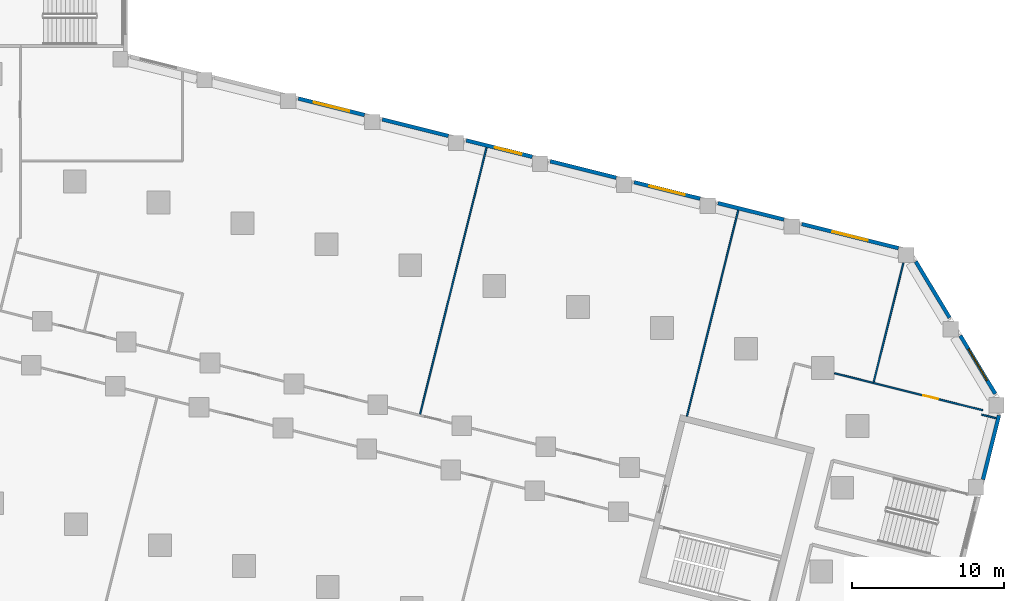
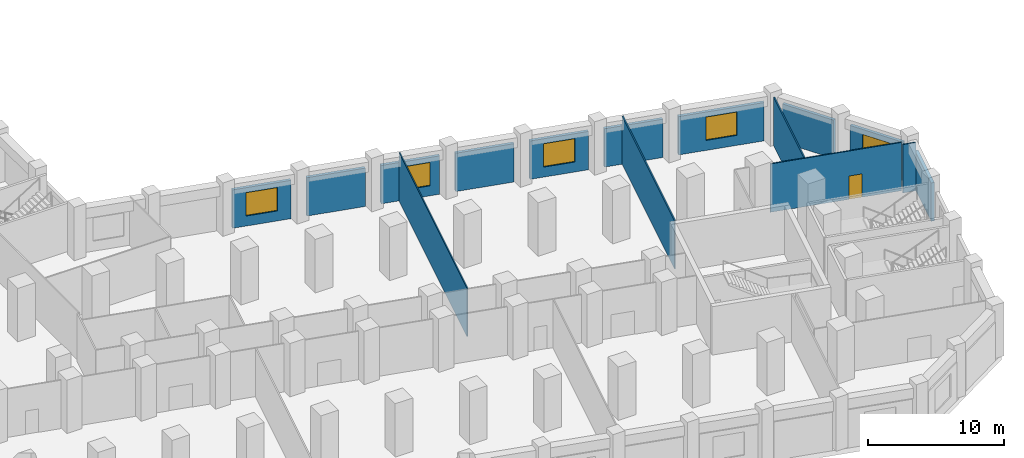
# One storey, part 7 of 15: 15 walls, 5 windows, 1 door, 6 openings.
"""IFC4 building model written with IfcOpenShell, lengths in metres."""

from ifc_helpers import new_model, si_unit, direction, frame, frame_2d, origin, place, context, subcontext, project, spatial, rectangle, extrude, material, layer, layer_set, type_object, element, fill, save


model = new_model("IFC4")

# Units and contexts
model_context = context("Model", 3, precision=1e-05, world=origin(), true_north=direction((0.0, 1.0)))
body_context = subcontext(model_context, "Body", "Model", "MODEL_VIEW")
ifc_project = project(units=[si_unit("LENGTHUNIT", "METRE"), si_unit("AREAUNIT", "SQUARE_METRE"), si_unit("VOLUMEUNIT", "CUBIC_METRE"), si_unit("PLANEANGLEUNIT", "RADIAN"), si_unit("MASSUNIT", "GRAM", prefix="KILO")], contexts=[model_context])

# Site, building, storey
site_placement = place(None, origin())
site = spatial("IfcSite", under=ifc_project, at=site_placement, CompositionType="ELEMENT")
building_placement = place(site_placement, origin())
building = spatial("IfcBuilding", under=site, at=building_placement, Name="Meshkara Civic Tower", CompositionType="ELEMENT")
storey_placement = place(building_placement, frame((0.0, 0.0, 23.39990234375)))
storey = spatial("IfcBuildingStorey", under=building, at=storey_placement, Name="L04", CompositionType="ELEMENT", Elevation=23.39990234375)

# Wall, opening, door
ifc_material_1 = material(Name="Corridor wall 100")
ifc_layer_1 = layer(ifc_material_1, 0.10009765625)
ifc_layer_set_1 = layer_set([ifc_layer_1], Name="Corridor wall 100")
wall_type_1 = type_object("IfcWallType", Name="Corridor wall 100", PredefinedType="PARTITIONING", material=ifc_layer_set_1)
wall_1_placement = place(storey_placement, frame((88.9560546875, 0.699951171875, 0.0), z_axis=(0.0, 0.0, 1.0), x_axis=(0.970310450884, -0.241862830763, 0.0)))
wall_1 = element("IfcWall", 1, at=wall_1_placement, inside=storey, type_object=wall_type_1, Name="L04-R081", PredefinedType="PARTITIONING", context=body_context, shape_type="SweptSolid", body=[
    extrude(rectangle(XDim=10.075927734375, YDim=0.10009765625, at=frame_2d((5.0380859375, 0.0))), origin(), (0.0, 0.0, 1.0), 4.35009765625),
])
opening_1_placement = place(wall_1_placement, frame((6.034912109375, 0.0, 0.0)))
opening_1 = element("IfcOpeningElement", 2, at=opening_1_placement, cuts=wall_1, Name="Opening L04-P012", PredefinedType="OPENING", context=body_context, shape_type="SweptSolid", body=[
    extrude(rectangle(XDim=1.0, YDim=2.10009765625, at=frame_2d((0.5, 1.050048828125))), frame((0.0, 0.06005859375, 0.0), z_axis=(0.0, -1.0, 0.0), x_axis=(1.0, 0.0, 0.0)), (0.0, 0.0, 1.0), 0.1201171875),
])
ifc_material_2 = material(Name="Door 1000 x 2100")
door_type = type_object("IfcDoorType", Name="Door 1000 x 2100", OperationType="SINGLE_SWING_LEFT", PredefinedType="DOOR", material=ifc_material_2)
door_placement = place(opening_1_placement, origin())
door = element("IfcDoor", 3, at=door_placement, inside=storey, type_object=door_type, Name="L04-P012", OperationType="SINGLE_SWING_LEFT", OverallHeight=2.10009765625, OverallWidth=1.0, PredefinedType="DOOR", context=body_context, shape_type="SweptSolid", body=[
    extrude(rectangle(XDim=1.0, YDim=2.10009765625, at=frame_2d((0.5, 1.050048828125))), frame((0.0, 0.02490234375, 0.0), z_axis=(0.0, -1.0, 0.0), x_axis=(1.0, 0.0, 0.0)), (0.0, 0.0, 1.0), 0.050048828125),
])
fill(opening_1, door)

# Walls
wall_2_placement = place(storey_placement, frame((99.63037109375, -2.27001953125, 0.0), z_axis=(0.0, 0.0, 1.0), x_axis=(-0.970300241929, 0.241903783585, 0.0)))
element("IfcWall", 4, at=wall_2_placement, inside=storey, type_object=wall_type_1, Name="L04-R084", PredefinedType="PARTITIONING", context=body_context, shape_type="SweptSolid", body=[
    extrude(rectangle(XDim=1.000244140625, YDim=0.10009765625, at=frame_2d((0.5, 0.0))), origin(), (0.0, 0.0, 1.0), 4.35009765625),
])
ifc_material_3 = material(Name="Stone cladding on insulated backing wall", Category="masonry")
ifc_layer_2 = layer(ifc_material_3, 0.25)
ifc_layer_set_2 = layer_set([ifc_layer_2], Name="PODIUM STONE WALL 250")
wall_type_2 = type_object("IfcWallType", Name="PODIUM STONE WALL 250", PredefinedType="SOLIDWALL", material=ifc_layer_set_2)
wall_3_placement = place(storey_placement, frame((98.7529296875, -6.306884765625, 0.0), z_axis=(0.0, 0.0, 1.0), x_axis=(0.241823818975, 0.97032017426, 0.0)))
element("IfcWall", 5, at=wall_3_placement, inside=storey, type_object=wall_type_2, Name="Podium external wall", PredefinedType="SOLIDWALL", context=body_context, shape_type="SweptSolid", body=[
    extrude(rectangle(XDim=4.3583984375, YDim=0.25, at=frame_2d((2.17919921875, 0.0))), origin(), (0.0, 0.0, 1.0), 3.4501953125),
])

# Wall, opening, window
wall_4_placement = place(storey_placement, frame((99.56298828125, -0.655029296875, 0.0), z_axis=(0.0, 0.0, 1.0), x_axis=(-0.515145569797, 0.857102702083, 0.0)))
wall_4 = element("IfcWall", 6, at=wall_4_placement, inside=storey, type_object=wall_type_2, Name="Podium external wall", PredefinedType="SOLIDWALL", context=body_context, shape_type="SweptSolid", body=[
    extrude(rectangle(XDim=4.474365234375, YDim=0.25, at=frame_2d((2.2373046875, 0.0))), origin(), (0.0, 0.0, 1.0), 3.4501953125),
])
opening_2_placement = place(wall_4_placement, frame((1.037109375, 0.0, 0.89990234375)))
opening_2 = element("IfcOpeningElement", 7, at=opening_2_placement, cuts=wall_4, Name="Opening PW10", PredefinedType="OPENING", context=body_context, shape_type="SweptSolid", body=[
    extrude(rectangle(XDim=2.39990234375, YDim=2.10009765625, at=frame_2d((1.199951171875, 1.050048828125))), frame((0.0, 0.135009765625, 0.0), z_axis=(0.0, -1.0, 0.0), x_axis=(1.0, 0.0, 0.0)), (0.0, 0.0, 1.0), 0.27001953125),
])
ifc_material_4 = material(Name="Tinted double glazing", Category="glass")
window_type_1 = type_object("IfcWindowType", Name="PODIUM WINDOW 2400x2100", PartitioningType="DOUBLE_PANEL_VERTICAL", PredefinedType="WINDOW", material=ifc_material_4)
window_1_placement = place(opening_2_placement, origin())
window_1 = element("IfcWindow", 8, at=window_1_placement, inside=storey, type_object=window_type_1, Name="Podium window", OverallHeight=2.10009765625, OverallWidth=2.39990234375, PartitioningType="DOUBLE_PANEL_VERTICAL", PredefinedType="WINDOW", context=body_context, shape_type="SweptSolid", body=[
    extrude(rectangle(XDim=2.39990234375, YDim=2.10009765625, at=frame_2d((1.199951171875, 1.050048828125))), frame((0.0, 0.030029296875, 0.0), z_axis=(0.0, -1.0, 0.0), x_axis=(1.0, 0.0, 0.0)), (0.0, 0.0, 1.0), 0.06005859375),
])
fill(opening_2, window_1)

# Wall
wall_5_placement = place(storey_placement, frame((96.552001953125, 4.35595703125, 0.0), z_axis=(0.0, 0.0, 1.0), x_axis=(-0.51527536796, 0.857024675942, 0.0)))
element("IfcWall", 9, at=wall_5_placement, inside=storey, type_object=wall_type_2, Name="Podium external wall", PredefinedType="SOLIDWALL", context=body_context, shape_type="SweptSolid", body=[
    extrude(rectangle(XDim=4.32763671875, YDim=0.25, at=frame_2d((2.163818359375, 0.0))), origin(), (0.0, 0.0, 1.0), 3.4501953125),
])

# Wall, opening, window
wall_6_placement = place(storey_placement, frame((93.180908203125, 8.947021484375, 0.0), z_axis=(0.0, 0.0, 1.0), x_axis=(-0.970262712144, 0.242054269584, 0.0)))
wall_6 = element("IfcWall", 10, at=wall_6_placement, inside=storey, type_object=wall_type_2, Name="Podium external wall", PredefinedType="SOLIDWALL", context=body_context, shape_type="SweptSolid", body=[
    extrude(rectangle(XDim=6.564208984375, YDim=0.25, at=frame_2d((3.2822265625, 0.0))), origin(), (0.0, 0.0, 1.0), 3.4501953125),
])
opening_3_placement = place(wall_6_placement, frame((2.08203125, 0.0, 0.89990234375)))
opening_3 = element("IfcOpeningElement", 11, at=opening_3_placement, cuts=wall_6, Name="Opening PW10", PredefinedType="OPENING", context=body_context, shape_type="SweptSolid", body=[
    extrude(rectangle(XDim=2.39990234375, YDim=2.10009765625, at=frame_2d((1.199951171875, 1.050048828125))), frame((0.0, 0.135009765625, 0.0), z_axis=(0.0, -1.0, 0.0), x_axis=(1.0, 0.0, 0.0)), (0.0, 0.0, 1.0), 0.27001953125),
])
window_2_placement = place(opening_3_placement, origin())
window_2 = element("IfcWindow", 12, at=window_2_placement, inside=storey, type_object=window_type_1, Name="Podium window", OverallHeight=2.10009765625, OverallWidth=2.39990234375, PartitioningType="DOUBLE_PANEL_VERTICAL", PredefinedType="WINDOW", context=body_context, shape_type="SweptSolid", body=[
    extrude(rectangle(XDim=2.39990234375, YDim=2.10009765625, at=frame_2d((1.199951171875, 1.050048828125))), frame((0.0, 0.030029296875, 0.0), z_axis=(0.0, -1.0, 0.0), x_axis=(1.0, 0.0, 0.0)), (0.0, 0.0, 1.0), 0.06005859375),
])
fill(opening_3, window_2)

# Wall
wall_7_placement = place(storey_placement, frame((85.635986328125, 10.8291015625, 0.0), z_axis=(0.0, 0.0, 1.0), x_axis=(-0.970327846266, 0.241793032904, 0.0)))
element("IfcWall", 13, at=wall_7_placement, inside=storey, type_object=wall_type_2, Name="Podium external wall", PredefinedType="SOLIDWALL", context=body_context, shape_type="SweptSolid", body=[
    extrude(rectangle(XDim=4.487060546875, YDim=0.25, at=frame_2d((2.24365234375, 0.0))), origin(), (0.0, 0.0, 1.0), 3.4501953125),
])

# Wall, opening, window
wall_8_placement = place(storey_placement, frame((80.10595703125, 12.2080078125, 0.0), z_axis=(0.0, 0.0, 1.0), x_axis=(-0.970289506684, 0.241946839653, 0.0)))
wall_8 = element("IfcWall", 14, at=wall_8_placement, inside=storey, type_object=wall_type_2, Name="Podium external wall", PredefinedType="SOLIDWALL", context=body_context, shape_type="SweptSolid", body=[
    extrude(rectangle(XDim=4.48828125, YDim=0.25, at=frame_2d((2.244140625, 0.0))), origin(), (0.0, 0.0, 1.0), 3.4501953125),
])
opening_4_placement = place(wall_8_placement, frame((1.0439453125, 0.0, 0.89990234375)))
opening_4 = element("IfcOpeningElement", 15, at=opening_4_placement, cuts=wall_8, Name="Opening PW10", PredefinedType="OPENING", context=body_context, shape_type="SweptSolid", body=[
    extrude(rectangle(XDim=2.39990234375, YDim=2.10009765625, at=frame_2d((1.199951171875, 1.050048828125))), frame((0.0, 0.135009765625, 0.0), z_axis=(0.0, -1.0, 0.0), x_axis=(1.0, 0.0, 0.0)), (0.0, 0.0, 1.0), 0.27001953125),
])
window_3_placement = place(opening_4_placement, origin())
window_3 = element("IfcWindow", 16, at=window_3_placement, inside=storey, type_object=window_type_1, Name="Podium window", OverallHeight=2.10009765625, OverallWidth=2.39990234375, PartitioningType="DOUBLE_PANEL_VERTICAL", PredefinedType="WINDOW", context=body_context, shape_type="SweptSolid", body=[
    extrude(rectangle(XDim=2.39990234375, YDim=2.10009765625, at=frame_2d((1.199951171875, 1.050048828125))), frame((0.0, 0.030029296875, 0.0), z_axis=(0.0, -1.0, 0.0), x_axis=(1.0, 0.0, 0.0)), (0.0, 0.0, 1.0), 0.06005859375),
])
fill(opening_4, window_3)

# Wall
wall_9_placement = place(storey_placement, frame((74.574951171875, 13.5869140625, 0.0), z_axis=(0.0, 0.0, 1.0), x_axis=(-0.970276735926, 0.241998049004, 0.0)))
element("IfcWall", 17, at=wall_9_placement, inside=storey, type_object=wall_type_2, Name="Podium external wall", PredefinedType="SOLIDWALL", context=body_context, shape_type="SweptSolid", body=[
    extrude(rectangle(XDim=4.48828125, YDim=0.25, at=frame_2d((2.244140625, 0.0))), origin(), (0.0, 0.0, 1.0), 3.4501953125),
])

# Wall, opening, window
wall_10_placement = place(storey_placement, frame((69.0439453125, 14.966064453125, 0.0), z_axis=(0.0, 0.0, 1.0), x_axis=(-0.970276766004, 0.241997928406, 0.0)))
wall_10 = element("IfcWall", 18, at=wall_10_placement, inside=storey, type_object=wall_type_2, Name="Podium external wall", PredefinedType="SOLIDWALL", context=body_context, shape_type="SweptSolid", body=[
    extrude(rectangle(XDim=4.4873046875, YDim=0.25, at=frame_2d((2.24365234375, 0.0))), origin(), (0.0, 0.0, 1.0), 3.4501953125),
])
opening_5_placement = place(wall_10_placement, frame((0.736083984375, 0.0, 0.89990234375)))
opening_5 = element("IfcOpeningElement", 19, at=opening_5_placement, cuts=wall_10, Name="Opening PW11", PredefinedType="OPENING", context=body_context, shape_type="SweptSolid", body=[
    extrude(rectangle(XDim=1.800048828125, YDim=2.10009765625, at=frame_2d((0.89990234375, 1.050048828125))), frame((0.0, 0.135009765625, 0.0), z_axis=(0.0, -1.0, 0.0), x_axis=(1.0, 0.0, 0.0)), (0.0, 0.0, 1.0), 0.27001953125),
])
ifc_material_5 = material(Name="Tinted double glazing", Category="glass")
window_type_2 = type_object("IfcWindowType", Name="PODIUM WINDOW 1800x2100", PartitioningType="DOUBLE_PANEL_VERTICAL", PredefinedType="WINDOW", material=ifc_material_5)
window_4_placement = place(opening_5_placement, origin())
window_4 = element("IfcWindow", 20, at=window_4_placement, inside=storey, type_object=window_type_2, Name="Podium window", OverallHeight=2.10009765625, OverallWidth=1.800048828125, PartitioningType="DOUBLE_PANEL_VERTICAL", PredefinedType="WINDOW", context=body_context, shape_type="SweptSolid", body=[
    extrude(rectangle(XDim=1.800048828125, YDim=2.10009765625, at=frame_2d((0.89990234375, 1.050048828125))), frame((0.0, 0.030029296875, 0.0), z_axis=(0.0, -1.0, 0.0), x_axis=(1.0, 0.0, 0.0)), (0.0, 0.0, 1.0), 0.06005859375),
])
fill(opening_5, window_4)

# Wall
wall_11_placement = place(storey_placement, frame((63.513916015625, 16.344970703125, 0.0), z_axis=(0.0, 0.0, 1.0), x_axis=(-0.970289506684, 0.241946839653, 0.0)))
element("IfcWall", 21, at=wall_11_placement, inside=storey, type_object=wall_type_2, Name="Podium external wall", PredefinedType="SOLIDWALL", context=body_context, shape_type="SweptSolid", body=[
    extrude(rectangle(XDim=4.48828125, YDim=0.25, at=frame_2d((2.244140625, 0.0))), origin(), (0.0, 0.0, 1.0), 3.4501953125),
])

# Wall, opening, window
wall_12_placement = place(storey_placement, frame((57.98291015625, 17.72412109375, 0.0), z_axis=(0.0, 0.0, 1.0), x_axis=(-0.970289506684, 0.241946839653, 0.0)))
wall_12 = element("IfcWall", 22, at=wall_12_placement, inside=storey, type_object=wall_type_2, Name="Podium external wall", PredefinedType="SOLIDWALL", context=body_context, shape_type="SweptSolid", body=[
    extrude(rectangle(XDim=4.48828125, YDim=0.25, at=frame_2d((2.244140625, 0.0))), origin(), (0.0, 0.0, 1.0), 3.4501953125),
])
opening_6_placement = place(wall_12_placement, frame((1.0439453125, 0.0, 0.89990234375)))
opening_6 = element("IfcOpeningElement", 23, at=opening_6_placement, cuts=wall_12, Name="Opening PW10", PredefinedType="OPENING", context=body_context, shape_type="SweptSolid", body=[
    extrude(rectangle(XDim=2.39990234375, YDim=2.10009765625, at=frame_2d((1.199951171875, 1.050048828125))), frame((0.0, 0.135009765625, 0.0), z_axis=(0.0, -1.0, 0.0), x_axis=(1.0, 0.0, 0.0)), (0.0, 0.0, 1.0), 0.27001953125),
])
window_5_placement = place(opening_6_placement, origin())
window_5 = element("IfcWindow", 24, at=window_5_placement, inside=storey, type_object=window_type_1, Name="Podium window", OverallHeight=2.10009765625, OverallWidth=2.39990234375, PartitioningType="DOUBLE_PANEL_VERTICAL", PredefinedType="WINDOW", context=body_context, shape_type="SweptSolid", body=[
    extrude(rectangle(XDim=2.39990234375, YDim=2.10009765625, at=frame_2d((1.199951171875, 1.050048828125))), frame((0.0, 0.030029296875, 0.0), z_axis=(0.0, -1.0, 0.0), x_axis=(1.0, 0.0, 0.0)), (0.0, 0.0, 1.0), 0.06005859375),
])
fill(opening_6, window_5)

# Walls
ifc_material_6 = material(Name="Partition 100")
ifc_layer_3 = layer(ifc_material_6, 0.10009765625)
ifc_layer_set_3 = layer_set([ifc_layer_3], Name="Partition 100")
wall_type_3 = type_object("IfcWallType", Name="Partition 100", PredefinedType="PARTITIONING", material=ifc_layer_set_3)
wall_13_placement = place(storey_placement, frame((61.64208984375, -2.02197265625, 0.0), z_axis=(0.0, 0.0, 1.0), x_axis=(0.24187722117, 0.97030686377, 0.0)))
element("IfcWall", 25, at=wall_13_placement, inside=storey, type_object=wall_type_3, Name="L04-R106", PredefinedType="PARTITIONING", context=body_context, shape_type="SweptSolid", body=[
    extrude(rectangle(XDim=18.149169921875, YDim=0.10009765625, at=frame_2d((9.07470703125, 0.0))), origin(), (0.0, 0.0, 1.0), 4.35009765625),
])
wall_14_placement = place(storey_placement, frame((79.238037109375, -2.133056640625, 0.0), z_axis=(0.0, 0.0, 1.0), x_axis=(0.241850296719, 0.970313575076, 0.0)))
element("IfcWall", 26, at=wall_14_placement, inside=storey, type_object=wall_type_3, Name="L04-R109", PredefinedType="PARTITIONING", context=body_context, shape_type="SweptSolid", body=[
    extrude(rectangle(XDim=13.999267578125, YDim=0.10009765625, at=frame_2d((6.99951171875, 0.0))), origin(), (0.0, 0.0, 1.0), 4.35009765625),
])
wall_15_placement = place(storey_placement, frame((91.544921875, 0.10693359375, 0.0), z_axis=(0.0, 0.0, 1.0), x_axis=(0.242003618955, 0.970275346699, 0.0)))
element("IfcWall", 27, at=wall_15_placement, inside=storey, type_object=wall_type_3, Name="L04-R110", PredefinedType="PARTITIONING", context=body_context, shape_type="SweptSolid", body=[
    extrude(rectangle(XDim=8.098876953125, YDim=0.10009765625, at=frame_2d((4.04931640625, 0.0))), origin(), (0.0, 0.0, 1.0), 4.35009765625),
])

save(model, "model.ifc")
